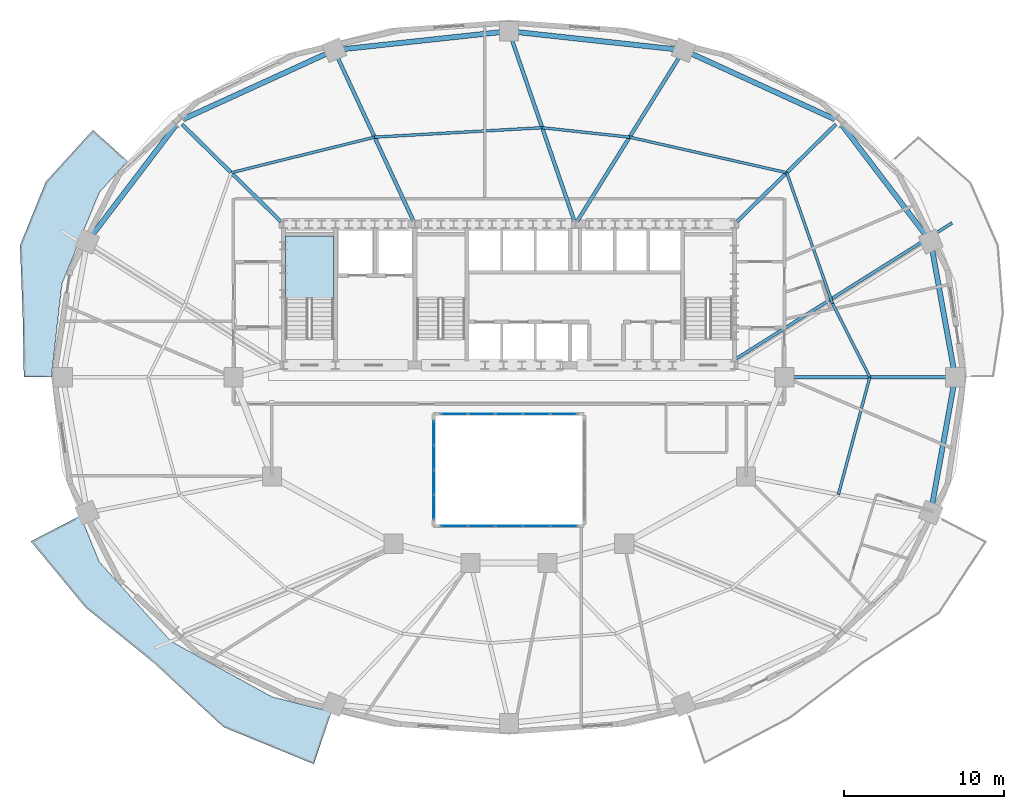
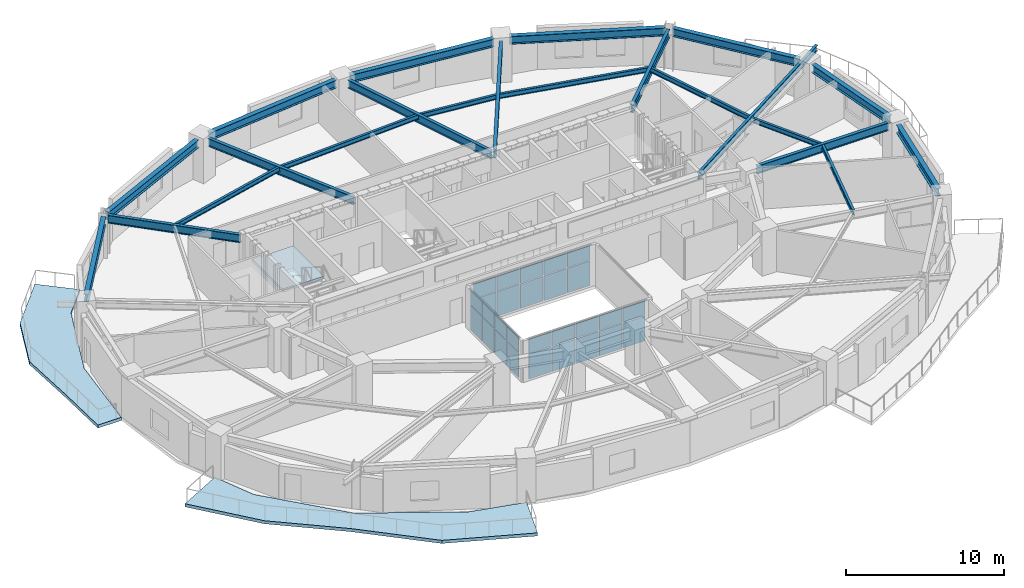
# One storey, part 5 of 12: 28 plates, 22 beams, 3 slabs, 4 elements without a shape of their own.
"""IFC4 building model written with IfcOpenShell, lengths in metres."""

from ifc_helpers import new_model, si_unit, direction, frame, origin, origin_2d, place, context, subcontext, project, spatial, polyline, rectangle, i_section, outline, extrude, material, layer, layer_set, material_profile, profile_set, type_object, element, aggregate, save


model = new_model("IFC4")

# Units and contexts
model_context = context("Model", 3, precision=1e-05, world=origin(), true_north=direction((0.0, 1.0)))
body_context = subcontext(model_context, "Body", "Model", "MODEL_VIEW")
ifc_project = project(units=[si_unit("LENGTHUNIT", "METRE"), si_unit("AREAUNIT", "SQUARE_METRE"), si_unit("VOLUMEUNIT", "CUBIC_METRE"), si_unit("PLANEANGLEUNIT", "RADIAN"), si_unit("MASSUNIT", "GRAM", prefix="KILO")], contexts=[model_context])

# Site, building, storey
site_placement = place(None, origin())
site = spatial("IfcSite", under=ifc_project, at=site_placement, CompositionType="ELEMENT")
building_placement = place(site_placement, origin())
building = spatial("IfcBuilding", under=site, at=building_placement, Name="Haldorwick Loom Tower", CompositionType="ELEMENT")
storey_placement = place(building_placement, frame((0.0, 0.0, 110.449951171875)))
storey = spatial("IfcBuildingStorey", under=building, at=storey_placement, Name="L29", CompositionType="ELEMENT", Elevation=110.449951171875)

# Beams
ifc_material_1 = material(Name="Steel CSA G40.21 350W", Category="steel")
ifc_material_profile_1 = material_profile(ifc_material_1, i_section(OverallWidth=0.193115234375, OverallDepth=0.466064453125, WebThickness=0.011474609375, FlangeThickness=0.01904296875, at=origin_2d()), Name="W460X97", Category="steel")
ifc_profile_set_1 = profile_set([ifc_material_profile_1], Name="Steel CSA G40.21 350W")
beam_type_1 = type_object("IfcBeamType", Name="STR-BM-BAL460", PredefinedType="BEAM", material=ifc_profile_set_1)
beam_1_placement = place(storey_placement, frame((50.111572265625, 27.106689453125, 2.97705078125), z_axis=(0.846609845451, 0.532214026108, 0.0), x_axis=(-0.532214026108, 0.846609845451, 0.0)))
element("IfcBeam", 1, at=beam_1_placement, inside=storey, type_object=beam_type_1, Name="L29 Continuous Back-Spanned Balcony Beam 4", PredefinedType="BEAM", context=body_context, shape_type="SweptSolid", body=[
    extrude(i_section(OverallWidth=0.193115234375, OverallDepth=0.466064453125, WebThickness=0.011474609375, FlangeThickness=0.01904296875, at=origin_2d()), origin(), (0.0, 0.0, 1.0), 16.0068359375),
])
ifc_material_profile_2 = material_profile(ifc_material_1, i_section(OverallWidth=0.172119140625, OverallDepth=0.35791015625, WebThickness=0.0078125, FlangeThickness=0.01318359375, at=origin_2d()), Name="W360X57", Category="steel")
ifc_profile_set_2 = profile_set([ifc_material_profile_2], Name="Steel CSA G40.21 350W")
beam_type_2 = type_object("IfcBeamType", Name="STR-BM-J360", PredefinedType="JOIST", material=ifc_profile_set_2)
beam_2_placement = place(storey_placement, frame((58.52880859375, 26.0, 3.031005859375), z_axis=(-0.451373231558, 0.892335254169, 0.0), x_axis=(-0.892335254169, -0.451373231558, 0.0)))
element("IfcBeam", 2, at=beam_2_placement, inside=storey, type_object=beam_type_2, Name="L29 Mid-Bay Secondary Joist 1", PredefinedType="JOIST", context=body_context, shape_type="SweptSolid", body=[
    extrude(i_section(OverallWidth=0.172119140625, OverallDepth=0.35791015625, WebThickness=0.0078125, FlangeThickness=0.01318359375, at=origin_2d()), origin(), (0.0, 0.0, 1.0), 5.158935546875),
])
beam_3_placement = place(storey_placement, frame((56.2001953125, 30.603515625, 3.031005859375), z_axis=(-0.330864603503, 0.943678236556, 0.0), x_axis=(-0.943678236556, -0.330864603503, 0.0)))
element("IfcBeam", 3, at=beam_3_placement, inside=storey, type_object=beam_type_2, Name="L29 Mid-Bay Secondary Joist 2", PredefinedType="JOIST", context=body_context, shape_type="SweptSolid", body=[
    extrude(i_section(OverallWidth=0.172119140625, OverallDepth=0.35791015625, WebThickness=0.0078125, FlangeThickness=0.01318359375, at=origin_2d()), origin(), (0.0, 0.0, 1.0), 8.6494140625),
])
beam_4_placement = place(storey_placement, frame((53.33837890625, 38.765869140625, 3.031005859375), z_axis=(-0.975380231772, 0.22052982444, 0.0), x_axis=(-0.22052982444, -0.975380231772, 0.0)))
element("IfcBeam", 4, at=beam_4_placement, inside=storey, type_object=beam_type_2, Name="L29 Mid-Bay Secondary Joist 3", PredefinedType="JOIST", context=body_context, shape_type="SweptSolid", body=[
    extrude(i_section(OverallWidth=0.172119140625, OverallDepth=0.35791015625, WebThickness=0.0078125, FlangeThickness=0.01318359375, at=origin_2d()), origin(), (0.0, 0.0, 1.0), 10.0576171875),
])
beam_5_placement = place(storey_placement, frame((43.5283203125, 40.98388671875, 3.031005859375), z_axis=(-0.994191869342, 0.107622148904, 0.0), x_axis=(-0.107622148904, -0.994191869342, 0.0)))
element("IfcBeam", 5, at=beam_5_placement, inside=storey, type_object=beam_type_2, Name="L29 Mid-Bay Secondary Joist 4", PredefinedType="JOIST", context=body_context, shape_type="SweptSolid", body=[
    extrude(i_section(OverallWidth=0.172119140625, OverallDepth=0.35791015625, WebThickness=0.0078125, FlangeThickness=0.01318359375, at=origin_2d()), origin(), (0.0, 0.0, 1.0), 5.485107421875),
])
beam_6_placement = place(storey_placement, frame((38.074951171875, 41.57421875, 3.031005859375), z_axis=(-0.998412171013, -0.056330602457, 0.0), x_axis=(0.056330602457, -0.998412171013, 0.0)))
element("IfcBeam", 6, at=beam_6_placement, inside=storey, type_object=beam_type_2, Name="L29 Mid-Bay Secondary Joist 5", PredefinedType="JOIST", context=body_context, shape_type="SweptSolid", body=[
    extrude(i_section(OverallWidth=0.172119140625, OverallDepth=0.35791015625, WebThickness=0.0078125, FlangeThickness=0.01318359375, at=origin_2d()), origin(), (0.0, 0.0, 1.0), 10.479736328125),
])
beam_7_placement = place(storey_placement, frame((27.61181640625, 40.98388671875, 3.031005859375), z_axis=(-0.970638838364, -0.240541567009, 0.0), x_axis=(0.240541567009, -0.970638838364, 0.0)))
element("IfcBeam", 7, at=beam_7_placement, inside=storey, type_object=beam_type_2, Name="L29 Mid-Bay Secondary Joist 6", PredefinedType="JOIST", context=body_context, shape_type="SweptSolid", body=[
    extrude(i_section(OverallWidth=0.172119140625, OverallDepth=0.35791015625, WebThickness=0.0078125, FlangeThickness=0.01318359375, at=origin_2d()), origin(), (0.0, 0.0, 1.0), 9.220947265625),
])
beam_8_placement = place(storey_placement, frame((56.565185546875, 18.67138671875, 3.031005859375), z_axis=(0.258810072536, 0.965928230436, 0.0), x_axis=(-0.965928230436, 0.258810072536, 0.0)))
element("IfcBeam", 8, at=beam_8_placement, inside=storey, type_object=beam_type_2, Name="L29 Mid-Bay Secondary Joist 16", PredefinedType="JOIST", context=body_context, shape_type="SweptSolid", body=[
    extrude(i_section(OverallWidth=0.172119140625, OverallDepth=0.35791015625, WebThickness=0.0078125, FlangeThickness=0.01318359375, at=origin_2d()), origin(), (0.0, 0.0, 1.0), 7.587158203125),
])
ifc_material_profile_3 = material_profile(ifc_material_1, i_section(OverallWidth=0.324951171875, OverallDepth=0.615966796875, WebThickness=0.013916015625, FlangeThickness=0.021484375, at=origin_2d()), Name="W610X174", Category="steel")
ifc_profile_set_3 = profile_set([ifc_material_profile_3], Name="Steel CSA G40.21 350W")
beam_type_3 = type_object("IfcBeamType", Name="STR-BM-SP610", PredefinedType="SPANDREL", material=ifc_profile_set_3)
beam_9_placement = place(storey_placement, frame((63.76513671875, 26.51171875, 2.902099609375), z_axis=(-0.177659490888, 0.984092020747, 0.0), x_axis=(-0.984092020747, -0.177659490888, 0.0)))
element("IfcBeam", 9, at=beam_9_placement, inside=storey, type_object=beam_type_3, Name="L29 Perimeter Spandrel 1", PredefinedType="SPANDREL", context=body_context, shape_type="SweptSolid", body=[
    extrude(i_section(OverallWidth=0.324951171875, OverallDepth=0.615966796875, WebThickness=0.013916015625, FlangeThickness=0.021484375, at=origin_2d()), origin(), (0.0, 0.0, 1.0), 7.553955078125),
])
beam_10_placement = place(storey_placement, frame((62.015869140625, 34.87109375, 2.902099609375), z_axis=(-0.605453508047, 0.795880675475, 0.0), x_axis=(-0.795880675475, -0.605453508047, 0.0)))
element("IfcBeam", 10, at=beam_10_placement, inside=storey, type_object=beam_type_3, Name="L29 Perimeter Spandrel 2", PredefinedType="SPANDREL", context=body_context, shape_type="SweptSolid", body=[
    extrude(i_section(OverallWidth=0.324951171875, OverallDepth=0.615966796875, WebThickness=0.013916015625, FlangeThickness=0.021484375, at=origin_2d()), origin(), (0.0, 0.0, 1.0), 8.6591796875),
])
beam_11_placement = place(storey_placement, frame((56.356689453125, 42.09619140625, 2.902099609375), z_axis=(-0.909423969306, 0.415870225011, 0.0), x_axis=(-0.415870225011, -0.909423969306, 0.0)))
element("IfcBeam", 11, at=beam_11_placement, inside=storey, type_object=beam_type_3, Name="L29 Perimeter Spandrel 3", PredefinedType="SPANDREL", context=body_context, shape_type="SweptSolid", body=[
    extrude(i_section(OverallWidth=0.324951171875, OverallDepth=0.615966796875, WebThickness=0.013916015625, FlangeThickness=0.021484375, at=origin_2d()), origin(), (0.0, 0.0, 1.0), 9.871337890625),
])
for number, where, z_axis, x_axis, name in (
    (12, (46.389404296875, 46.4736328125, 2.902099609375), (-0.994190135627, 0.107638163409, 0.0), (-0.107638163409, -0.994190135627, 0.0), "L29 Perimeter Spandrel 4"),
    (13, (35.48291015625, 47.54248046875, 2.902099609375), (-0.994190135627, -0.107638163409, 0.0), (0.107638163409, -0.994190135627, 0.0), "L29 Perimeter Spandrel 5"),
):
    element("IfcBeam", number, at=place(storey_placement, frame(where, z_axis=z_axis, x_axis=x_axis)), inside=storey, type_object=beam_type_3, Name=name, PredefinedType="SPANDREL", context=body_context, shape_type="SweptSolid", body=[
        extrude(i_section(OverallWidth=0.324951171875, OverallDepth=0.615966796875, WebThickness=0.013916015625, FlangeThickness=0.021484375, at=origin_2d()), origin(), (0.0, 0.0, 1.0), 9.929931640625),
    ])
beam_12_placement = place(storey_placement, frame((24.62060546875, 46.201416015625, 2.902099609375), z_axis=(-0.909423969306, -0.415870225011, 0.0), x_axis=(0.415870225011, -0.909423969306, 0.0)))
element("IfcBeam", 14, at=beam_12_placement, inside=storey, type_object=beam_type_3, Name="L29 Perimeter Spandrel 6", PredefinedType="SPANDREL", context=body_context, shape_type="SweptSolid", body=[
    extrude(i_section(OverallWidth=0.324951171875, OverallDepth=0.615966796875, WebThickness=0.013916015625, FlangeThickness=0.021484375, at=origin_2d()), origin(), (0.0, 0.0, 1.0), 9.871337890625),
])
beam_13_placement = place(storey_placement, frame((15.226806640625, 41.7626953125, 2.902099609375), z_axis=(-0.605453508047, -0.795880675475, 0.0), x_axis=(0.795880675475, -0.605453508047, 0.0)))
element("IfcBeam", 15, at=beam_13_placement, inside=storey, type_object=beam_type_3, Name="L29 Perimeter Spandrel 7", PredefinedType="SPANDREL", context=body_context, shape_type="SweptSolid", body=[
    extrude(i_section(OverallWidth=0.324951171875, OverallDepth=0.615966796875, WebThickness=0.013916015625, FlangeThickness=0.021484375, at=origin_2d()), origin(), (0.0, 0.0, 1.0), 8.6591796875),
])
beam_14_placement = place(storey_placement, frame((62.423095703125, 18.054443359375, 2.902099609375), z_axis=(0.177659490888, 0.984092020747, 0.0), x_axis=(-0.984092020747, 0.177659490888, 0.0)))
element("IfcBeam", 16, at=beam_14_placement, inside=storey, type_object=beam_type_3, Name="L29 Perimeter Spandrel 16", PredefinedType="SPANDREL", context=body_context, shape_type="SweptSolid", body=[
    extrude(i_section(OverallWidth=0.324951171875, OverallDepth=0.615966796875, WebThickness=0.013916015625, FlangeThickness=0.021484375, at=origin_2d()), origin(), (0.0, 0.0, 1.0), 7.553955078125),
])
ifc_material_profile_4 = material_profile(ifc_material_1, i_section(OverallWidth=0.22998046875, OverallDepth=0.616943359375, WebThickness=0.01318359375, FlangeThickness=0.022216796875, at=origin_2d()), Name="W610X140", Category="steel")
ifc_profile_set_4 = profile_set([ifc_material_profile_4], Name="Steel CSA G40.21 350W")
beam_type_4 = type_object("IfcBeamType", Name="STR-BM-W610B", PredefinedType="BEAM", material=ifc_profile_set_4)
beam_15_placement = place(storey_placement, frame((53.719970703125, 26.0, 2.901611328125), z_axis=(1.0, 0.0, 0.0), x_axis=(0.0, 1.0, 0.0)))
element("IfcBeam", 17, at=beam_15_placement, inside=storey, type_object=beam_type_4, Name="L29 Radial Floor Girder 1", PredefinedType="BEAM", context=body_context, shape_type="SweptSolid", body=[
    extrude(i_section(OverallWidth=0.22998046875, OverallDepth=0.616943359375, WebThickness=0.01318359375, FlangeThickness=0.022216796875, at=origin_2d()), origin(), (0.0, 0.0, 1.0), 9.61767578125),
])
beam_16_placement = place(storey_placement, frame((50.23046875, 35.707763671875, 2.901611328125), z_axis=(0.712813667541, 0.701353459653, 0.0), x_axis=(-0.701353459653, 0.712813667541, 0.0)))
element("IfcBeam", 18, at=beam_16_placement, inside=storey, type_object=beam_type_4, Name="L29 Radial Floor Girder 3", PredefinedType="BEAM", context=body_context, shape_type="SweptSolid", body=[
    extrude(i_section(OverallWidth=0.22998046875, OverallDepth=0.616943359375, WebThickness=0.01318359375, FlangeThickness=0.022216796875, at=origin_2d()), origin(), (0.0, 0.0, 1.0), 8.67041015625),
])
beam_17_placement = place(storey_placement, frame((40.268798828125, 35.7412109375, 2.901611328125), z_axis=(0.527983484361, 0.849254638046, 0.0), x_axis=(-0.849254638046, 0.527983484361, 0.0)))
element("IfcBeam", 19, at=beam_17_placement, inside=storey, type_object=beam_type_4, Name="L29 Radial Floor Girder 4", PredefinedType="BEAM", context=body_context, shape_type="SweptSolid", body=[
    extrude(i_section(OverallWidth=0.22998046875, OverallDepth=0.616943359375, WebThickness=0.01318359375, FlangeThickness=0.022216796875, at=origin_2d()), origin(), (0.0, 0.0, 1.0), 12.051513671875),
])
beam_18_placement = place(storey_placement, frame((40.07666015625, 35.7626953125, 2.901611328125), z_axis=(-0.325673980289, 0.945482130218, 0.0), x_axis=(-0.945482130218, -0.325673980289, 0.0)))
element("IfcBeam", 20, at=beam_18_placement, inside=storey, type_object=beam_type_4, Name="L29 Radial Floor Girder 5", PredefinedType="BEAM", context=body_context, shape_type="SweptSolid", body=[
    extrude(i_section(OverallWidth=0.22998046875, OverallDepth=0.616943359375, WebThickness=0.01318359375, FlangeThickness=0.022216796875, at=origin_2d()), origin(), (0.0, 0.0, 1.0), 11.998046875),
])
beam_19_placement = place(storey_placement, frame((30.035400390625, 35.754150390625, 2.901611328125), z_axis=(-0.420492432459, 0.907296045536, 0.0), x_axis=(-0.907296045536, -0.420492432459, 0.0)))
element("IfcBeam", 21, at=beam_19_placement, inside=storey, type_object=beam_type_4, Name="L29 Radial Floor Girder 6", PredefinedType="BEAM", context=body_context, shape_type="SweptSolid", body=[
    extrude(i_section(OverallWidth=0.22998046875, OverallDepth=0.616943359375, WebThickness=0.01318359375, FlangeThickness=0.022216796875, at=origin_2d()), origin(), (0.0, 0.0, 1.0), 11.23291015625),
])
beam_20_placement = place(storey_placement, frame((21.76953125, 35.707763671875, 2.901611328125), z_axis=(-0.712813667541, 0.701353459653, 0.0), x_axis=(-0.701353459653, -0.712813667541, 0.0)))
element("IfcBeam", 22, at=beam_20_placement, inside=storey, type_object=beam_type_4, Name="L29 Radial Floor Girder 7", PredefinedType="BEAM", context=body_context, shape_type="SweptSolid", body=[
    extrude(i_section(OverallWidth=0.22998046875, OverallDepth=0.616943359375, WebThickness=0.01318359375, FlangeThickness=0.022216796875, at=origin_2d()), origin(), (0.0, 0.0, 1.0), 8.67041015625),
])

# Curtain wall, plates
ifc_material_2 = material(Name="Thermally Broken Anodized Aluminium Curtain Wall Framing", Category="aluminium")
curtain_wall_type = type_object("IfcCurtainWallType", Name="ARC-CW-03", PredefinedType="NOTDEFINED", material=ifc_material_2)
curtain_wall_1_placement = place(storey_placement, origin())
curtain_wall_1 = element("IfcCurtainWall", 23, at=curtain_wall_1_placement, inside=storey, type_object=curtain_wall_type, Name="L29 Atrium Glazed Screen S", PredefinedType="NOTDEFINED")
ifc_material_3 = material(Name="Triple-Glazed Low-E Argon Insulated Glazing Unit", Category="glass")
ifc_layer_1 = layer(ifc_material_3, 0.04296875, Name="Triple-Glazed Low-E Argon Insulated Glazing Unit", Category="glass")
ifc_layer_set_1 = layer_set([ifc_layer_1], Name="Triple-Glazed Low-E Argon Insulated Glazing Unit")
plate_type = type_object("IfcPlateType", Name="ARC-CWP-03", PredefinedType="CURTAIN_PANEL", material=ifc_layer_set_1)
plate_1_placement = place(storey_placement, frame((39.423583984375, 16.699951171875, 0.066162109375), z_axis=(0.0, 0.0, 1.0), x_axis=(-1.0, 0.0, 0.0)))
plate_1 = element("IfcPlate", 24, at=plate_1_placement, type_object=plate_type, Name="CW-03 panel 1.1", PredefinedType="CURTAIN_PANEL", context=body_context, shape_type="SweptSolid", body=[
    extrude(rectangle(XDim=1.62109375, YDim=0.04296875, at=origin_2d()), origin(), (0.0, 0.0, 1.0), 1.90087890625),
])
plate_2_placement = place(storey_placement, frame((39.423583984375, 16.699951171875, 2.033203125), z_axis=(0.0, 0.0, 1.0), x_axis=(-1.0, 0.0, 0.0)))
plate_2 = element("IfcPlate", 25, at=plate_2_placement, type_object=plate_type, Name="CW-03 panel 1.2", PredefinedType="CURTAIN_PANEL", context=body_context, shape_type="SweptSolid", body=[
    extrude(rectangle(XDim=1.62109375, YDim=0.04296875, at=origin_2d()), origin(), (0.0, 0.0, 1.0), 1.111083984375),
])
plate_3_placement = place(storey_placement, frame((37.719970703125, 16.699951171875, 0.066162109375), z_axis=(0.0, 0.0, 1.0), x_axis=(-1.0, 0.0, 0.0)))
plate_3 = element("IfcPlate", 26, at=plate_3_placement, type_object=plate_type, Name="CW-03 panel 2.1", PredefinedType="CURTAIN_PANEL", context=body_context, shape_type="SweptSolid", body=[
    extrude(rectangle(XDim=1.654052734375, YDim=0.04296875, at=origin_2d()), origin(), (0.0, 0.0, 1.0), 1.90087890625),
])
plate_4_placement = place(storey_placement, frame((37.719970703125, 16.699951171875, 2.033203125), z_axis=(0.0, 0.0, 1.0), x_axis=(-1.0, 0.0, 0.0)))
plate_4 = element("IfcPlate", 27, at=plate_4_placement, type_object=plate_type, Name="CW-03 panel 2.2", PredefinedType="CURTAIN_PANEL", context=body_context, shape_type="SweptSolid", body=[
    extrude(rectangle(XDim=1.654052734375, YDim=0.04296875, at=origin_2d()), origin(), (0.0, 0.0, 1.0), 1.111083984375),
])
plate_5_placement = place(storey_placement, frame((36.0, 16.699951171875, 0.066162109375), z_axis=(0.0, 0.0, 1.0), x_axis=(-1.0, 0.0, 0.0)))
plate_5 = element("IfcPlate", 28, at=plate_5_placement, type_object=plate_type, Name="CW-03 panel 3.1", PredefinedType="CURTAIN_PANEL", context=body_context, shape_type="SweptSolid", body=[
    extrude(rectangle(XDim=1.654052734375, YDim=0.04296875, at=origin_2d()), origin(), (0.0, 0.0, 1.0), 1.90087890625),
])
plate_6_placement = place(storey_placement, frame((36.0, 16.699951171875, 2.033203125), z_axis=(0.0, 0.0, 1.0), x_axis=(-1.0, 0.0, 0.0)))
plate_6 = element("IfcPlate", 29, at=plate_6_placement, type_object=plate_type, Name="CW-03 panel 3.2", PredefinedType="CURTAIN_PANEL", context=body_context, shape_type="SweptSolid", body=[
    extrude(rectangle(XDim=1.654052734375, YDim=0.04296875, at=origin_2d()), origin(), (0.0, 0.0, 1.0), 1.111083984375),
])
plate_7_placement = place(storey_placement, frame((34.280029296875, 16.699951171875, 0.066162109375), z_axis=(0.0, 0.0, 1.0), x_axis=(-1.0, 0.0, 0.0)))
plate_7 = element("IfcPlate", 30, at=plate_7_placement, type_object=plate_type, Name="CW-03 panel 4.1", PredefinedType="CURTAIN_PANEL", context=body_context, shape_type="SweptSolid", body=[
    extrude(rectangle(XDim=1.654052734375, YDim=0.04296875, at=origin_2d()), origin(), (0.0, 0.0, 1.0), 1.90087890625),
])
plate_8_placement = place(storey_placement, frame((34.280029296875, 16.699951171875, 2.033203125), z_axis=(0.0, 0.0, 1.0), x_axis=(-1.0, 0.0, 0.0)))
plate_8 = element("IfcPlate", 31, at=plate_8_placement, type_object=plate_type, Name="CW-03 panel 4.2", PredefinedType="CURTAIN_PANEL", context=body_context, shape_type="SweptSolid", body=[
    extrude(rectangle(XDim=1.654052734375, YDim=0.04296875, at=origin_2d()), origin(), (0.0, 0.0, 1.0), 1.111083984375),
])
plate_9_placement = place(storey_placement, frame((32.576416015625, 16.699951171875, 0.066162109375), z_axis=(0.0, 0.0, 1.0), x_axis=(-1.0, 0.0, 0.0)))
plate_9 = element("IfcPlate", 32, at=plate_9_placement, type_object=plate_type, Name="CW-03 panel 5.1", PredefinedType="CURTAIN_PANEL", context=body_context, shape_type="SweptSolid", body=[
    extrude(rectangle(XDim=1.62109375, YDim=0.04296875, at=origin_2d()), origin(), (0.0, 0.0, 1.0), 1.90087890625),
])
plate_10_placement = place(storey_placement, frame((32.576416015625, 16.699951171875, 2.033203125), z_axis=(0.0, 0.0, 1.0), x_axis=(-1.0, 0.0, 0.0)))
plate_10 = element("IfcPlate", 33, at=plate_10_placement, type_object=plate_type, Name="CW-03 panel 5.2", PredefinedType="CURTAIN_PANEL", context=body_context, shape_type="SweptSolid", body=[
    extrude(rectangle(XDim=1.62109375, YDim=0.04296875, at=origin_2d()), origin(), (0.0, 0.0, 1.0), 1.111083984375),
])
aggregate(curtain_wall_1, [plate_1, plate_2, plate_3, plate_4, plate_5, plate_6, plate_7, plate_8, plate_9, plate_10])

curtain_wall_2_placement = place(storey_placement, origin())
curtain_wall_2 = element("IfcCurtainWall", 34, at=curtain_wall_2_placement, inside=storey, type_object=curtain_wall_type, Name="L29 Atrium Glazed Screen N", PredefinedType="NOTDEFINED")
plate_11_placement = place(storey_placement, frame((32.576416015625, 23.699951171875, 0.066162109375), z_axis=(0.0, 0.0, 1.0), x_axis=(1.0, 0.0, 0.0)))
plate_11 = element("IfcPlate", 35, at=plate_11_placement, type_object=plate_type, Name="CW-03 panel 1.1", PredefinedType="CURTAIN_PANEL", context=body_context, shape_type="SweptSolid", body=[
    extrude(rectangle(XDim=1.62109375, YDim=0.04296875, at=origin_2d()), origin(), (0.0, 0.0, 1.0), 1.90087890625),
])
plate_12_placement = place(storey_placement, frame((32.576416015625, 23.699951171875, 2.033203125), z_axis=(0.0, 0.0, 1.0), x_axis=(1.0, 0.0, 0.0)))
plate_12 = element("IfcPlate", 36, at=plate_12_placement, type_object=plate_type, Name="CW-03 panel 1.2", PredefinedType="CURTAIN_PANEL", context=body_context, shape_type="SweptSolid", body=[
    extrude(rectangle(XDim=1.62109375, YDim=0.04296875, at=origin_2d()), origin(), (0.0, 0.0, 1.0), 1.111083984375),
])
plate_13_placement = place(storey_placement, frame((34.280029296875, 23.699951171875, 0.066162109375), z_axis=(0.0, 0.0, 1.0), x_axis=(1.0, 0.0, 0.0)))
plate_13 = element("IfcPlate", 37, at=plate_13_placement, type_object=plate_type, Name="CW-03 panel 2.1", PredefinedType="CURTAIN_PANEL", context=body_context, shape_type="SweptSolid", body=[
    extrude(rectangle(XDim=1.654052734375, YDim=0.04296875, at=origin_2d()), origin(), (0.0, 0.0, 1.0), 1.90087890625),
])
plate_14_placement = place(storey_placement, frame((34.280029296875, 23.699951171875, 2.033203125), z_axis=(0.0, 0.0, 1.0), x_axis=(1.0, 0.0, 0.0)))
plate_14 = element("IfcPlate", 38, at=plate_14_placement, type_object=plate_type, Name="CW-03 panel 2.2", PredefinedType="CURTAIN_PANEL", context=body_context, shape_type="SweptSolid", body=[
    extrude(rectangle(XDim=1.654052734375, YDim=0.04296875, at=origin_2d()), origin(), (0.0, 0.0, 1.0), 1.111083984375),
])
plate_15_placement = place(storey_placement, frame((36.0, 23.699951171875, 0.066162109375), z_axis=(0.0, 0.0, 1.0), x_axis=(1.0, 0.0, 0.0)))
plate_15 = element("IfcPlate", 39, at=plate_15_placement, type_object=plate_type, Name="CW-03 panel 3.1", PredefinedType="CURTAIN_PANEL", context=body_context, shape_type="SweptSolid", body=[
    extrude(rectangle(XDim=1.654052734375, YDim=0.04296875, at=origin_2d()), origin(), (0.0, 0.0, 1.0), 1.90087890625),
])
plate_16_placement = place(storey_placement, frame((36.0, 23.699951171875, 2.033203125), z_axis=(0.0, 0.0, 1.0), x_axis=(1.0, 0.0, 0.0)))
plate_16 = element("IfcPlate", 40, at=plate_16_placement, type_object=plate_type, Name="CW-03 panel 3.2", PredefinedType="CURTAIN_PANEL", context=body_context, shape_type="SweptSolid", body=[
    extrude(rectangle(XDim=1.654052734375, YDim=0.04296875, at=origin_2d()), origin(), (0.0, 0.0, 1.0), 1.111083984375),
])
plate_17_placement = place(storey_placement, frame((37.719970703125, 23.699951171875, 0.066162109375), z_axis=(0.0, 0.0, 1.0), x_axis=(1.0, 0.0, 0.0)))
plate_17 = element("IfcPlate", 41, at=plate_17_placement, type_object=plate_type, Name="CW-03 panel 4.1", PredefinedType="CURTAIN_PANEL", context=body_context, shape_type="SweptSolid", body=[
    extrude(rectangle(XDim=1.654052734375, YDim=0.04296875, at=origin_2d()), origin(), (0.0, 0.0, 1.0), 1.90087890625),
])
plate_18_placement = place(storey_placement, frame((37.719970703125, 23.699951171875, 2.033203125), z_axis=(0.0, 0.0, 1.0), x_axis=(1.0, 0.0, 0.0)))
plate_18 = element("IfcPlate", 42, at=plate_18_placement, type_object=plate_type, Name="CW-03 panel 4.2", PredefinedType="CURTAIN_PANEL", context=body_context, shape_type="SweptSolid", body=[
    extrude(rectangle(XDim=1.654052734375, YDim=0.04296875, at=origin_2d()), origin(), (0.0, 0.0, 1.0), 1.111083984375),
])
plate_19_placement = place(storey_placement, frame((39.423583984375, 23.699951171875, 0.066162109375), z_axis=(0.0, 0.0, 1.0), x_axis=(1.0, 0.0, 0.0)))
plate_19 = element("IfcPlate", 43, at=plate_19_placement, type_object=plate_type, Name="CW-03 panel 5.1", PredefinedType="CURTAIN_PANEL", context=body_context, shape_type="SweptSolid", body=[
    extrude(rectangle(XDim=1.62109375, YDim=0.04296875, at=origin_2d()), origin(), (0.0, 0.0, 1.0), 1.90087890625),
])
plate_20_placement = place(storey_placement, frame((39.423583984375, 23.699951171875, 2.033203125), z_axis=(0.0, 0.0, 1.0), x_axis=(1.0, 0.0, 0.0)))
plate_20 = element("IfcPlate", 44, at=plate_20_placement, type_object=plate_type, Name="CW-03 panel 5.2", PredefinedType="CURTAIN_PANEL", context=body_context, shape_type="SweptSolid", body=[
    extrude(rectangle(XDim=1.62109375, YDim=0.04296875, at=origin_2d()), origin(), (0.0, 0.0, 1.0), 1.111083984375),
])
aggregate(curtain_wall_2, [plate_11, plate_12, plate_13, plate_14, plate_15, plate_16, plate_17, plate_18, plate_19, plate_20])

curtain_wall_3_placement = place(storey_placement, origin())
curtain_wall_3 = element("IfcCurtainWall", 45, at=curtain_wall_3_placement, inside=storey, type_object=curtain_wall_type, Name="L29 Atrium Glazed Screen W", PredefinedType="NOTDEFINED")
plate_21_placement = place(storey_placement, frame((31.300048828125, 17.8916015625, 0.066162109375), z_axis=(0.0, 0.0, 1.0), x_axis=(0.0, 1.0, 0.0)))
plate_21 = element("IfcPlate", 46, at=plate_21_placement, type_object=plate_type, Name="CW-03 panel 1.1", PredefinedType="CURTAIN_PANEL", context=body_context, shape_type="SweptSolid", body=[
    extrude(rectangle(XDim=1.450927734375, YDim=0.04296875, at=origin_2d()), origin(), (0.0, 0.0, 1.0), 1.90087890625),
])
plate_22_placement = place(storey_placement, frame((31.300048828125, 17.8916015625, 2.033203125), z_axis=(0.0, 0.0, 1.0), x_axis=(0.0, 1.0, 0.0)))
plate_22 = element("IfcPlate", 47, at=plate_22_placement, type_object=plate_type, Name="CW-03 panel 1.2", PredefinedType="CURTAIN_PANEL", context=body_context, shape_type="SweptSolid", body=[
    extrude(rectangle(XDim=1.450927734375, YDim=0.04296875, at=origin_2d()), origin(), (0.0, 0.0, 1.0), 1.111083984375),
])
plate_23_placement = place(storey_placement, frame((31.300048828125, 19.425048828125, 0.066162109375), z_axis=(0.0, 0.0, 1.0), x_axis=(0.0, 1.0, 0.0)))
plate_23 = element("IfcPlate", 48, at=plate_23_placement, type_object=plate_type, Name="CW-03 panel 2.1", PredefinedType="CURTAIN_PANEL", context=body_context, shape_type="SweptSolid", body=[
    extrude(rectangle(XDim=1.48388671875, YDim=0.04296875, at=origin_2d()), origin(), (0.0, 0.0, 1.0), 1.90087890625),
])
plate_24_placement = place(storey_placement, frame((31.300048828125, 19.425048828125, 2.033203125), z_axis=(0.0, 0.0, 1.0), x_axis=(0.0, 1.0, 0.0)))
plate_24 = element("IfcPlate", 49, at=plate_24_placement, type_object=plate_type, Name="CW-03 panel 2.2", PredefinedType="CURTAIN_PANEL", context=body_context, shape_type="SweptSolid", body=[
    extrude(rectangle(XDim=1.48388671875, YDim=0.04296875, at=origin_2d()), origin(), (0.0, 0.0, 1.0), 1.111083984375),
])
plate_25_placement = place(storey_placement, frame((31.300048828125, 20.97509765625, 0.066162109375), z_axis=(0.0, 0.0, 1.0), x_axis=(0.0, 1.0, 0.0)))
plate_25 = element("IfcPlate", 50, at=plate_25_placement, type_object=plate_type, Name="CW-03 panel 3.1", PredefinedType="CURTAIN_PANEL", context=body_context, shape_type="SweptSolid", body=[
    extrude(rectangle(XDim=1.48388671875, YDim=0.04296875, at=origin_2d()), origin(), (0.0, 0.0, 1.0), 1.90087890625),
])
plate_26_placement = place(storey_placement, frame((31.300048828125, 20.97509765625, 2.033203125), z_axis=(0.0, 0.0, 1.0), x_axis=(0.0, 1.0, 0.0)))
plate_26 = element("IfcPlate", 51, at=plate_26_placement, type_object=plate_type, Name="CW-03 panel 3.2", PredefinedType="CURTAIN_PANEL", context=body_context, shape_type="SweptSolid", body=[
    extrude(rectangle(XDim=1.48388671875, YDim=0.04296875, at=origin_2d()), origin(), (0.0, 0.0, 1.0), 1.111083984375),
])
plate_27_placement = place(storey_placement, frame((31.300048828125, 22.508544921875, 0.066162109375), z_axis=(0.0, 0.0, 1.0), x_axis=(0.0, 1.0, 0.0)))
plate_27 = element("IfcPlate", 52, at=plate_27_placement, type_object=plate_type, Name="CW-03 panel 4.1", PredefinedType="CURTAIN_PANEL", context=body_context, shape_type="SweptSolid", body=[
    extrude(rectangle(XDim=1.450927734375, YDim=0.04296875, at=origin_2d()), origin(), (0.0, 0.0, 1.0), 1.90087890625),
])
plate_28_placement = place(storey_placement, frame((31.300048828125, 22.508544921875, 2.033203125), z_axis=(0.0, 0.0, 1.0), x_axis=(0.0, 1.0, 0.0)))
plate_28 = element("IfcPlate", 53, at=plate_28_placement, type_object=plate_type, Name="CW-03 panel 4.2", PredefinedType="CURTAIN_PANEL", context=body_context, shape_type="SweptSolid", body=[
    extrude(rectangle(XDim=1.450927734375, YDim=0.04296875, at=origin_2d()), origin(), (0.0, 0.0, 1.0), 1.111083984375),
])
aggregate(curtain_wall_3, [plate_21, plate_22, plate_23, plate_24, plate_25, plate_26, plate_27, plate_28])

# Slabs
ifc_material_4 = material(Name="Concrete C40 (40 MPa)", Category="concrete")
ifc_layer_2 = layer(ifc_material_4, 0.239990234375, Name="Concrete C40 (40 MPa)", Category="concrete")
ifc_layer_set_2 = layer_set([ifc_layer_2], Name="Concrete C40 (40 MPa)")
slab_type_1 = type_object("IfcSlabType", Name="STR-SLB-BAL240", PredefinedType="FLOOR", material=ifc_layer_set_2)
slab_1_placement = place(storey_placement, frame((0.0, 0.0, -0.239990234375)))
element("IfcSlab", 54, at=slab_1_placement, inside=storey, type_object=slab_type_1, Name="L29 Sinusoidal Balcony Terrace BAL_SW", PredefinedType="FLOOR", context=body_context, shape_type="SweptSolid", body=[
    extrude(outline(polyline([(24.91357421875, 5.10498046875), (21.23583984375, 6.022705078125), (21.234619140625, 6.023193359375), (21.2333984375, 6.023681640625), (21.232177734375, 6.0244140625), (14.89111328125, 9.51025390625), (14.8896484375, 9.510986328125), (14.88818359375, 9.51220703125), (14.88720703125, 9.51318359375), (10.4228515625, 14.464599609375), (10.421875, 14.465576171875), (10.421142578125, 14.466552734375), (10.420654296875, 14.4677734375), (10.419921875, 14.468994140625), (9.241455078125, 17.34814453125), (6.151611328125, 15.751708984375), (9.568115234375, 11.616943359375), (13.835693359375, 8.16259765625), (18.172607421875, 4.155517578125), (23.825439453125, 1.84326171875), (24.91357421875, 5.10498046875)])), origin(), (0.0, 0.0, 1.0), 0.239990234375),
])
slab_2_placement = place(storey_placement, frame((0.0, 0.0, -0.239990234375)))
element("IfcSlab", 55, at=slab_2_placement, inside=storey, type_object=slab_type_1, Name="L29 Sinusoidal Balcony Terrace BAL_WNW", PredefinedType="FLOOR", context=body_context, shape_type="SweptSolid", body=[
    extrude(outline(polyline([(7.427490234375, 26.0), (7.427490234375, 26.001708984375), (8.09033203125, 31.837890625), (8.090576171875, 31.83935546875), (8.0908203125, 31.840576171875), (8.09130859375, 31.841796875), (10.419921875, 37.531005859375), (10.420654296875, 37.5322265625), (10.421142578125, 37.533447265625), (10.421875, 37.534423828125), (10.4228515625, 37.535400390625), (12.1865234375, 39.49169921875), (10.03076171875, 41.431640625), (7.083984375, 38.197509765625), (5.47412109375, 34.22265625), (5.642578125, 29.9150390625), (5.7158203125, 26.0), (7.427490234375, 26.0)])), origin(), (0.0, 0.0, 1.0), 0.239990234375),
])

# Stair, slab
stair_type = type_object("IfcStairType", Name="STR-STR-CORE", PredefinedType="HALF_TURN_STAIR", material=ifc_material_4)
stair_placement = place(storey_placement, origin())
stair = element("IfcStair", 56, at=stair_placement, inside=storey, type_object=stair_type, Name="L29 Exit Stair ST-01", PredefinedType="HALF_TURN_STAIR")
ifc_layer_3 = layer(ifc_material_4, 0.199951171875, Name="Concrete C40 (40 MPa)", Category="concrete")
ifc_layer_set_3 = layer_set([ifc_layer_3], Name="Concrete C40 (40 MPa)")
slab_type_2 = type_object("IfcSlabType", Name="STR-SLB-LAND200", PredefinedType="LANDING", material=ifc_layer_set_3)
slab_3_placement = place(storey_placement, frame((0.0, 0.0, 1.525146484375)))
slab_3 = element("IfcSlab", 57, at=slab_3_placement, type_object=slab_type_2, Name="ST-01 landing 1", PredefinedType="LANDING", context=body_context, shape_type="SweptSolid", body=[
    extrude(outline(polyline([(25.050048828125, 30.919921875), (25.050048828125, 34.800048828125), (22.050048828125, 34.800048828125), (22.050048828125, 30.919921875), (25.050048828125, 30.919921875)])), origin(), (0.0, 0.0, 1.0), 0.199951171875),
])
aggregate(stair, [slab_3])

save(model, "model.ifc")
